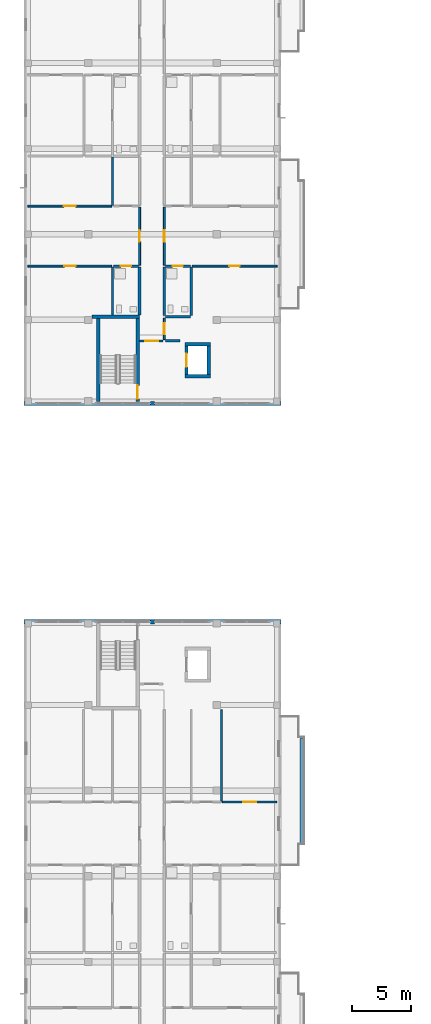
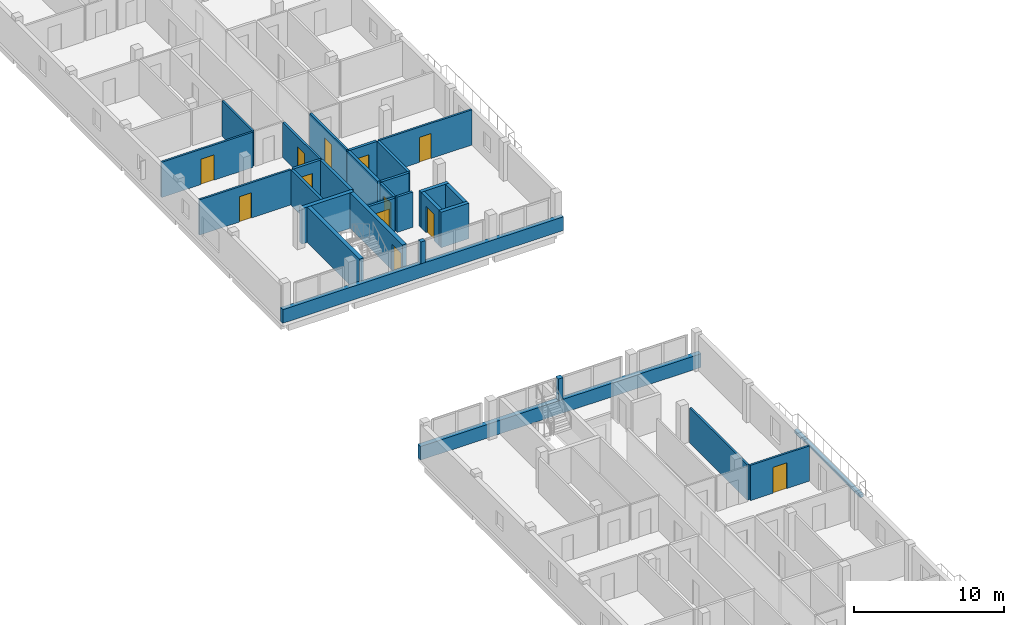
# One storey, part 16 of 41: 30 walls, 12 doors, 12 openings.
"""IFC4 building model written with IfcOpenShell, lengths in metres."""

from ifc_helpers import new_model, si_unit, derived_unit, direction, frame, frame_2d, origin, place, context, subcontext, project, spatial, rectangle, extrude, material, layer, layer_set, type_object, element, fill, save


model = new_model("IFC4")

# Units and contexts
model_context = context("Model", 3, precision=1e-05, world=origin(), true_north=direction((0.0, 1.0)))
body_context = subcontext(model_context, "Body", "Model", "MODEL_VIEW")
ifc_project = project(units=[si_unit("LENGTHUNIT", "METRE"), si_unit("AREAUNIT", "SQUARE_METRE"), si_unit("VOLUMEUNIT", "CUBIC_METRE"), si_unit("PLANEANGLEUNIT", "RADIAN"), si_unit("MASSUNIT", "GRAM", prefix="KILO"), derived_unit("THERMALTRANSMITTANCEUNIT", [(si_unit("MASSUNIT", "GRAM", prefix="KILO"), 1), (si_unit("TIMEUNIT", "SECOND"), -3), (si_unit("THERMODYNAMICTEMPERATUREUNIT", "KELVIN"), -1)])], contexts=[model_context])

# Site, building, storey
site_placement = place(None, origin())
site = spatial("IfcSite", under=ifc_project, at=site_placement, CompositionType="ELEMENT")
building_placement = place(site_placement, origin())
building = spatial("IfcBuilding", under=site, at=building_placement, Name="Ochrekiln Boulevard Commons", CompositionType="ELEMENT")
storey_placement = place(building_placement, frame((0.0, 0.0, 21.52490234375)))
storey = spatial("IfcBuildingStorey", under=building, at=storey_placement, Name="L06", CompositionType="ELEMENT", Elevation=21.52490234375)

# Walls
ifc_material_1 = material(Name="Iron-spot brown clinker brick masonry ASTM C216 Grade SW", Category="masonry")
ifc_layer_1 = layer(ifc_material_1, 0.364990234375)
ifc_layer_set_1 = layer_set([ifc_layer_1], Name="Iron-spot brown clinker brick masonry ASTM C216 Grade SW")
wall_type_1 = type_object("IfcWallType", Name="WL-EXT-IRON-365", PredefinedType="SOLIDWALL", material=ifc_layer_set_1)
wall_1_placement = place(storey_placement, frame((0.0, 50.217529296875, 0.0), z_axis=(0.0, 0.0, 1.0), x_axis=(1.0, 0.0, 0.0)))
element("IfcWall", 1, at=wall_1_placement, inside=storey, type_object=wall_type_1, Name="Block D L06 Courtyard Gable Sill Wall", PredefinedType="SOLIDWALL", context=body_context, shape_type="SweptSolid", body=[
    extrude(rectangle(XDim=21.60009765625, YDim=0.364990234375, at=frame_2d((10.800048828125, 0.0))), origin(), (0.0, 0.0, 1.0), 1.110107421875),
])
wall_2_placement = place(storey_placement, frame((10.6201171875, 50.217529296875, 1.110107421875), z_axis=(0.0, 0.0, 1.0), x_axis=(1.0, 0.0, 0.0)))
element("IfcWall", 2, at=wall_2_placement, inside=storey, type_object=wall_type_1, Name="Block D L06 Courtyard Gable Mullion Pier", PredefinedType="SOLIDWALL", context=body_context, shape_type="SweptSolid", body=[
    extrude(rectangle(XDim=0.35986328125, YDim=0.364990234375, at=frame_2d((0.179931640625, 0.0))), origin(), (0.0, 0.0, 1.0), 1.780029296875),
])
ifc_material_2 = material(Name="Desert ochre clinker brick masonry ASTM C216 Grade SW", Category="masonry")
ifc_layer_2 = layer(ifc_material_2, 0.320068359375)
ifc_layer_set_2 = layer_set([ifc_layer_2], Name="Desert ochre clinker brick masonry ASTM C216 Grade SW")
wall_type_2 = type_object("IfcWallType", Name="WL-EXT-OCHRE-320", PredefinedType="SOLIDWALL", material=ifc_layer_set_2)
wall_3_placement = place(storey_placement, frame((0.0, 68.56005859375, 0.0), z_axis=(0.0, 0.0, 1.0), x_axis=(1.0, 0.0, 0.0)))
element("IfcWall", 3, at=wall_3_placement, inside=storey, type_object=wall_type_2, Name="Block A L06 Courtyard Gable Sill Wall", PredefinedType="SOLIDWALL", context=body_context, shape_type="SweptSolid", body=[
    extrude(rectangle(XDim=21.60009765625, YDim=0.320068359375, at=frame_2d((10.800048828125, 0.0))), origin(), (0.0, 0.0, 1.0), 1.110107421875),
])
wall_4_placement = place(storey_placement, frame((10.6201171875, 68.56005859375, 1.110107421875), z_axis=(0.0, 0.0, 1.0), x_axis=(1.0, 0.0, 0.0)))
element("IfcWall", 4, at=wall_4_placement, inside=storey, type_object=wall_type_2, Name="Block A L06 Courtyard Gable Mullion Pier", PredefinedType="SOLIDWALL", context=body_context, shape_type="SweptSolid", body=[
    extrude(rectangle(XDim=0.35986328125, YDim=0.320068359375, at=frame_2d((0.179931640625, 0.0))), origin(), (0.0, 0.0, 1.0), 1.780029296875),
])
ifc_material_3 = material(Name="Moisture-resistant cementitious tile backer wall")
ifc_layer_3 = layer(ifc_material_3, 0.199951171875)
ifc_layer_set_3 = layer_set([ifc_layer_3], Name="Moisture-resistant cementitious tile backer wall")
wall_type_3 = type_object("IfcWallType", Name="WL-PLM-200", PredefinedType="PLUMBINGWALL", material=ifc_layer_set_3)
wall_5_placement = place(storey_placement, frame((11.8720703125, 75.875, 0.0), z_axis=(0.0, 0.0, 1.0), x_axis=(1.0, 0.0, 0.0)))
element("IfcWall", 5, at=wall_5_placement, inside=storey, type_object=wall_type_3, Name="L06 Interior Wall W-PW200", PredefinedType="PLUMBINGWALL", context=body_context, shape_type="SweptSolid", body=[
    extrude(rectangle(XDim=2.10791015625, YDim=0.199951171875, at=frame_2d((1.053955078125, 0.0))), origin(), (0.0, 0.0, 1.0), 2.8701171875),
])

# Wall, opening, door
wall_6_placement = place(storey_placement, frame((7.52001953125, 80.118896484375, 0.0), z_axis=(0.0, 0.0, 1.0), x_axis=(1.0, 0.0, 0.0)))
wall_6 = element("IfcWall", 6, at=wall_6_placement, inside=storey, type_object=wall_type_3, Name="L06 Interior Wall W-PW200", PredefinedType="PLUMBINGWALL", context=body_context, shape_type="SweptSolid", body=[
    extrude(rectangle(XDim=2.10791015625, YDim=0.199951171875, at=frame_2d((1.053955078125, 0.0))), origin(), (0.0, 0.0, 1.0), 2.8701171875),
])
opening_1_placement = place(wall_6_placement, frame((0.6201171875, 0.0, 0.0)))
opening_1 = element("IfcOpeningElement", 7, at=opening_1_placement, cuts=wall_6, Name="Opening D-L06-789", PredefinedType="OPENING", context=body_context, shape_type="SweptSolid", body=[
    extrude(rectangle(XDim=0.860107421875, YDim=2.0, at=frame_2d((0.43017578125, 1.0))), frame((0.0, 0.10986328125, 0.0), z_axis=(0.0, -1.0, 0.0), x_axis=(1.0, 0.0, 0.0)), (0.0, 0.0, 1.0), 0.219970703125),
])
ifc_material_4 = material(Name="Solid core architectural oak door leaf")
door_type_1 = type_object("IfcDoorType", Name="DR-INT-BTH-086", OperationType="NOTDEFINED", PredefinedType="DOOR", material=ifc_material_4)
door_1_placement = place(opening_1_placement, frame((0.860107421875, 0.0, 0.0), z_axis=(0.0, 0.0, 1.0), x_axis=(-1.0, 0.0, 0.0)))
door_1 = element("IfcDoor", 8, at=door_1_placement, inside=storey, type_object=door_type_1, Name="L06 Interior Door to Accessible Apartment Bathroom", OperationType="SINGLE_SWING_LEFT", OverallHeight=2.0, OverallWidth=0.860107421875, PredefinedType="DOOR", context=body_context, shape_type="SweptSolid", body=[
    extrude(rectangle(XDim=0.860107421875, YDim=2.0, at=frame_2d((0.43017578125, 1.0))), frame((0.0, 0.02490234375, 0.0), z_axis=(0.0, -1.0, 0.0), x_axis=(1.0, 0.0, 0.0)), (0.0, 0.0, 1.0), 0.050048828125),
])
fill(opening_1, door_1)

# Wall
wall_7_placement = place(storey_placement, frame((7.43994140625, 76.0, 0.0), z_axis=(0.0, 0.0, 1.0), x_axis=(0.0, 1.0, 0.0)))
element("IfcWall", 9, at=wall_7_placement, inside=storey, type_object=wall_type_3, Name="L06 Interior Wall W-PW200", PredefinedType="PLUMBINGWALL", context=body_context, shape_type="SweptSolid", body=[
    extrude(rectangle(XDim=4.0390625, YDim=0.199951171875, at=frame_2d((2.01953125, 0.0))), origin(), (0.0, 0.0, 1.0), 2.8701171875),
])

# Wall, opening, door
wall_8_placement = place(storey_placement, frame((11.8720703125, 80.118896484375, 0.0), z_axis=(0.0, 0.0, 1.0), x_axis=(1.0, 0.0, 0.0)))
wall_8 = element("IfcWall", 10, at=wall_8_placement, inside=storey, type_object=wall_type_3, Name="L06 Interior Wall W-PW200", PredefinedType="PLUMBINGWALL", context=body_context, shape_type="SweptSolid", body=[
    extrude(rectangle(XDim=2.10791015625, YDim=0.199951171875, at=frame_2d((1.053955078125, 0.0))), origin(), (0.0, 0.0, 1.0), 2.8701171875),
])
opening_2_placement = place(wall_8_placement, frame((0.6279296875, 0.0, 0.0)))
opening_2 = element("IfcOpeningElement", 11, at=opening_2_placement, cuts=wall_8, Name="Opening D-L06-800", PredefinedType="OPENING", context=body_context, shape_type="SweptSolid", body=[
    extrude(rectangle(XDim=0.860107421875, YDim=2.0, at=frame_2d((0.43017578125, 1.0))), frame((0.0, 0.10986328125, 0.0), z_axis=(0.0, -1.0, 0.0), x_axis=(1.0, 0.0, 0.0)), (0.0, 0.0, 1.0), 0.219970703125),
])
door_2_placement = place(opening_2_placement, frame((0.860107421875, 0.0, 0.0), z_axis=(0.0, 0.0, 1.0), x_axis=(-1.0, 0.0, 0.0)))
door_2 = element("IfcDoor", 12, at=door_2_placement, inside=storey, type_object=door_type_1, Name="L06 Interior Door to Apartment Bathroom", OperationType="SINGLE_SWING_RIGHT", OverallHeight=2.0, OverallWidth=0.860107421875, PredefinedType="DOOR", context=body_context, shape_type="SweptSolid", body=[
    extrude(rectangle(XDim=0.860107421875, YDim=2.0, at=frame_2d((0.43017578125, 1.0))), frame((0.0, 0.02490234375, 0.0), z_axis=(0.0, -1.0, 0.0), x_axis=(1.0, 0.0, 0.0)), (0.0, 0.0, 1.0), 0.050048828125),
])
fill(opening_2, door_2)

# Walls
wall_9_placement = place(storey_placement, frame((14.06005859375, 75.97509765625, 0.0), z_axis=(0.0, 0.0, 1.0), x_axis=(0.0, 1.0, 0.0)))
element("IfcWall", 13, at=wall_9_placement, inside=storey, type_object=wall_type_3, Name="L06 Interior Wall W-PW200", PredefinedType="PLUMBINGWALL", context=body_context, shape_type="SweptSolid", body=[
    extrude(rectangle(XDim=4.06396484375, YDim=0.199951171875, at=frame_2d((2.031982421875, 0.0))), origin(), (0.0, 0.0, 1.0), 2.8701171875),
])
ifc_layer_4 = layer(ifc_material_3, 0.219970703125)
ifc_layer_set_4 = layer_set([ifc_layer_4], Name="Moisture-resistant cementitious tile backer wall")
wall_type_4 = type_object("IfcWallType", Name="WL-PLM-220", PredefinedType="PLUMBINGWALL", material=ifc_layer_set_4)
wall_10_placement = place(storey_placement, frame((9.7099609375, 76.0, 0.0), z_axis=(0.0, 0.0, 1.0), x_axis=(0.0, 1.0, 0.0)))
element("IfcWall", 14, at=wall_10_placement, inside=storey, type_object=wall_type_4, Name="L06 Interior Wall W-PW220", PredefinedType="PLUMBINGWALL", context=body_context, shape_type="SweptSolid", body=[
    extrude(rectangle(XDim=4.0390625, YDim=0.219970703125, at=frame_2d((2.01953125, 0.0))), origin(), (0.0, 0.0, 1.0), 2.8701171875),
])
wall_11_placement = place(storey_placement, frame((11.7900390625, 75.97509765625, 0.0), z_axis=(0.0, 0.0, 1.0), x_axis=(0.0, 1.0, 0.0)))
element("IfcWall", 15, at=wall_11_placement, inside=storey, type_object=wall_type_4, Name="L06 Interior Wall W-PW220", PredefinedType="PLUMBINGWALL", context=body_context, shape_type="SweptSolid", body=[
    extrude(rectangle(XDim=4.06396484375, YDim=0.219970703125, at=frame_2d((2.031982421875, 0.0))), origin(), (0.0, 0.0, 1.0), 2.8701171875),
])
ifc_material_5 = material(Name="Glazed architectural terracotta ASTM C1405", Category="masonry")
ifc_layer_5 = layer(ifc_material_5, 0.25)
ifc_layer_set_5 = layer_set([ifc_layer_5], Name="Glazed architectural terracotta ASTM C1405")
wall_type_5 = type_object("IfcWallType", Name="WL-PLN-250", PredefinedType="PARAPET", material=ifc_layer_set_5)
wall_12_placement = place(storey_placement, frame((23.320068359375, 31.610107421875, 0.0), z_axis=(0.0, 0.0, 1.0), x_axis=(0.0, 1.0, 0.0)))
element("IfcWall", 16, at=wall_12_placement, inside=storey, type_object=wall_type_5, Name="Block D L06 Balcony Terracotta Planter Box 2", PredefinedType="PARAPET", context=body_context, shape_type="SweptSolid", body=[
    extrude(rectangle(XDim=8.77978515625, YDim=0.25, at=frame_2d((4.389892578125, 0.0))), origin(), (0.0, 0.0, 1.0), 0.22998046875),
])

# Wall, opening, door
ifc_material_6 = material(Name="Fire-rated Type X gypsum board on steel studs", Category="steel")
ifc_layer_6 = layer(ifc_material_6, 0.1650390625)
ifc_layer_set_6 = layer_set([ifc_layer_6], Name="Fire-rated Type X gypsum board on steel studs")
wall_type_6 = type_object("IfcWallType", Name="WL-PT-CORR-165", PredefinedType="PARTITIONING", material=ifc_layer_set_6)
wall_13_placement = place(storey_placement, frame((11.7900390625, 73.929931640625, 0.0), z_axis=(0.0, 0.0, 1.0), x_axis=(0.0, 1.0, 0.0)))
wall_13 = element("IfcWall", 17, at=wall_13_placement, inside=storey, type_object=wall_type_6, Name="L06 Interior Wall W-PC165", PredefinedType="PARTITIONING", context=body_context, shape_type="SweptSolid", body=[
    extrude(rectangle(XDim=1.820068359375, YDim=0.1650390625, at=frame_2d((0.91015625, 0.0))), origin(), (0.0, 0.0, 1.0), 2.8701171875),
])
opening_3_placement = place(wall_13_placement, frame((0.4599609375, 0.0, 0.0)))
opening_3 = element("IfcOpeningElement", 18, at=opening_3_placement, cuts=wall_13, Name="Opening D-L06-784", PredefinedType="OPENING", context=body_context, shape_type="SweptSolid", body=[
    extrude(rectangle(XDim=0.919921875, YDim=2.0400390625, at=frame_2d((0.4599609375, 1.02001953125))), frame((0.0, 0.092529296875, 0.0), z_axis=(0.0, -1.0, 0.0), x_axis=(1.0, 0.0, 0.0)), (0.0, 0.0, 1.0), 0.18505859375),
])
ifc_material_7 = material(Name="Hollow metal fire-rated steel door assembly", Category="steel")
door_type_2 = type_object("IfcDoorType", Name="DR-SRV-90", OperationType="NOTDEFINED", PredefinedType="DOOR", material=ifc_material_7)
door_3_placement = place(opening_3_placement, frame((0.919921875, 0.0, 0.0), z_axis=(0.0, 0.0, 1.0), x_axis=(-1.0, 0.0, 0.0)))
door_3 = element("IfcDoor", 19, at=door_3_placement, inside=storey, type_object=door_type_2, Name="L06 Interior Door to Hydronic and Electrical Riser Room", OperationType="SINGLE_SWING_RIGHT", OverallHeight=2.0400390625, OverallWidth=0.919921875, PredefinedType="DOOR", context=body_context, shape_type="SweptSolid", body=[
    extrude(rectangle(XDim=0.919921875, YDim=2.0400390625, at=frame_2d((0.4599609375, 1.02001953125))), frame((0.0, 0.02490234375, 0.0), z_axis=(0.0, -1.0, 0.0), x_axis=(1.0, 0.0, 0.0)), (0.0, 0.0, 1.0), 0.050048828125),
])
fill(opening_3, door_3)

wall_14_placement = place(storey_placement, frame((9.7099609375, 80.198974609375, 0.0), z_axis=(0.0, 0.0, 1.0), x_axis=(0.0, 1.0, 0.0)))
wall_14 = element("IfcWall", 20, at=wall_14_placement, inside=storey, type_object=wall_type_6, Name="L06 Interior Wall W-PC165", PredefinedType="PARTITIONING", context=body_context, shape_type="SweptSolid", body=[
    extrude(rectangle(XDim=4.887939453125, YDim=0.1650390625, at=frame_2d((2.44384765625, 0.0))), origin(), (0.0, 0.0, 1.0), 2.8701171875),
])
opening_4_placement = place(wall_14_placement, frame((1.9541015625, 0.0, 0.0)))
opening_4 = element("IfcOpeningElement", 21, at=opening_4_placement, cuts=wall_14, Name="Opening D-L06-785", PredefinedType="OPENING", context=body_context, shape_type="SweptSolid", body=[
    extrude(rectangle(XDim=0.97998046875, YDim=2.080078125, at=frame_2d((0.489990234375, 1.0400390625))), frame((0.0, 0.092529296875, 0.0), z_axis=(0.0, -1.0, 0.0), x_axis=(1.0, 0.0, 0.0)), (0.0, 0.0, 1.0), 0.18505859375),
])
door_type_3 = type_object("IfcDoorType", Name="DR-APT-60", OperationType="NOTDEFINED", PredefinedType="DOOR", material=ifc_material_4)
door_4_placement = place(opening_4_placement, origin())
door_4 = element("IfcDoor", 22, at=door_4_placement, inside=storey, type_object=door_type_3, Name="L06 Interior Door to Two-Bedroom Apartment Living Room", OperationType="SINGLE_SWING_LEFT", OverallHeight=2.080078125, OverallWidth=0.97998046875, PredefinedType="DOOR", context=body_context, shape_type="SweptSolid", body=[
    extrude(rectangle(XDim=0.97998046875, YDim=2.080078125, at=frame_2d((0.489990234375, 1.0400390625))), frame((0.0, 0.02490234375, 0.0), z_axis=(0.0, -1.0, 0.0), x_axis=(1.0, 0.0, 0.0)), (0.0, 0.0, 1.0), 0.050048828125),
])
fill(opening_4, door_4)

wall_15_placement = place(storey_placement, frame((11.7900390625, 80.198974609375, 0.0), z_axis=(0.0, 0.0, 1.0), x_axis=(0.0, 1.0, 0.0)))
wall_15 = element("IfcWall", 23, at=wall_15_placement, inside=storey, type_object=wall_type_6, Name="L06 Interior Wall W-PC165", PredefinedType="PARTITIONING", context=body_context, shape_type="SweptSolid", body=[
    extrude(rectangle(XDim=4.887939453125, YDim=0.1650390625, at=frame_2d((2.44384765625, 0.0))), origin(), (0.0, 0.0, 1.0), 2.8701171875),
])
opening_5_placement = place(wall_15_placement, frame((1.9541015625, 0.0, 0.0)))
opening_5 = element("IfcOpeningElement", 24, at=opening_5_placement, cuts=wall_15, Name="Opening D-L06-787", PredefinedType="OPENING", context=body_context, shape_type="SweptSolid", body=[
    extrude(rectangle(XDim=0.97998046875, YDim=2.080078125, at=frame_2d((0.489990234375, 1.0400390625))), frame((0.0, 0.092529296875, 0.0), z_axis=(0.0, -1.0, 0.0), x_axis=(1.0, 0.0, 0.0)), (0.0, 0.0, 1.0), 0.18505859375),
])
door_5_placement = place(opening_5_placement, frame((0.97998046875, 0.0, 0.0), z_axis=(0.0, 0.0, 1.0), x_axis=(-1.0, 0.0, 0.0)))
door_5 = element("IfcDoor", 25, at=door_5_placement, inside=storey, type_object=door_type_3, Name="L06 Interior Door to Two-Bedroom Apartment Living Room", OperationType="SINGLE_SWING_LEFT", OverallHeight=2.080078125, OverallWidth=0.97998046875, PredefinedType="DOOR", context=body_context, shape_type="SweptSolid", body=[
    extrude(rectangle(XDim=0.97998046875, YDim=2.080078125, at=frame_2d((0.489990234375, 1.0400390625))), frame((0.0, 0.02490234375, 0.0), z_axis=(0.0, -1.0, 0.0), x_axis=(1.0, 0.0, 0.0)), (0.0, 0.0, 1.0), 0.050048828125),
])
fill(opening_5, door_5)

# Wall
ifc_layer_7 = layer(ifc_material_6, 0.18994140625)
ifc_layer_set_7 = layer_set([ifc_layer_7], Name="Fire-rated Type X gypsum board on steel studs")
wall_type_7 = type_object("IfcWallType", Name="WL-PT-LBY-190", PredefinedType="PARTITIONING", material=ifc_layer_set_7)
wall_16_placement = place(storey_placement, frame((11.8798828125, 73.8349609375, 0.0), z_axis=(0.0, 0.0, 1.0), x_axis=(1.0, 0.0, 0.0)))
element("IfcWall", 26, at=wall_16_placement, inside=storey, type_object=wall_type_7, Name="L06 Interior Wall W-PL190", PredefinedType="PARTITIONING", context=body_context, shape_type="SweptSolid", body=[
    extrude(rectangle(XDim=1.22021484375, YDim=0.18994140625, at=frame_2d((0.610107421875, 0.0))), origin(), (0.0, 0.0, 1.0), 2.8701171875),
])

# Wall, opening, door
wall_17_placement = place(storey_placement, frame((9.699951171875, 73.820068359375, 0.0), z_axis=(0.0, 0.0, 1.0), x_axis=(1.0, 0.0, 0.0)))
wall_17 = element("IfcWall", 27, at=wall_17_placement, inside=storey, type_object=wall_type_7, Name="L06 Interior Wall W-PL190", PredefinedType="PARTITIONING", context=body_context, shape_type="SweptSolid", body=[
    extrude(rectangle(XDim=2.0, YDim=0.18994140625, at=frame_2d((1.0, 0.0))), origin(), (0.0, 0.0, 1.0), 2.8701171875),
])
opening_6_placement = place(wall_17_placement, frame((0.5, 0.0, 0.0)))
opening_6 = element("IfcOpeningElement", 28, at=opening_6_placement, cuts=wall_17, Name="Opening D-L06-782", PredefinedType="OPENING", context=body_context, shape_type="SweptSolid", body=[
    extrude(rectangle(XDim=1.10009765625, YDim=2.1201171875, at=frame_2d((0.550048828125, 1.06005859375))), frame((0.0, 0.10498046875, 0.0), z_axis=(0.0, -1.0, 0.0), x_axis=(1.0, 0.0, 0.0)), (0.0, 0.0, 1.0), 0.2099609375),
])
door_type_4 = type_object("IfcDoorType", Name="DR-LOBBY-60", OperationType="NOTDEFINED", PredefinedType="DOOR", material=ifc_material_7)
door_6_placement = place(opening_6_placement, frame((1.10009765625, 0.0, 0.0), z_axis=(0.0, 0.0, 1.0), x_axis=(-1.0, 0.0, 0.0)))
door_6 = element("IfcDoor", 29, at=door_6_placement, inside=storey, type_object=door_type_4, Name="L06 Interior Door to Fire Service Access Elevator Lobby", OperationType="SINGLE_SWING_RIGHT", OverallHeight=2.1201171875, OverallWidth=1.10009765625, PredefinedType="DOOR", context=body_context, shape_type="SweptSolid", body=[
    extrude(rectangle(XDim=1.10009765625, YDim=2.1201171875, at=frame_2d((0.550048828125, 1.06005859375))), frame((0.0, 0.02490234375, 0.0), z_axis=(0.0, -1.0, 0.0), x_axis=(1.0, 0.0, 0.0)), (0.0, 0.0, 1.0), 0.050048828125),
])
fill(opening_6, door_6)

ifc_layer_8 = layer(ifc_material_6, 0.14990234375)
ifc_layer_set_8 = layer_set([ifc_layer_8], Name="Fire-rated Type X gypsum board on steel studs")
wall_type_8 = type_object("IfcWallType", Name="WL-PT-STD-150", PredefinedType="PARTITIONING", material=ifc_layer_set_8)
wall_18_placement = place(storey_placement, frame((0.320068359375, 80.118896484375, 0.0), z_axis=(0.0, 0.0, 1.0), x_axis=(1.0, 0.0, 0.0)))
wall_18 = element("IfcWall", 30, at=wall_18_placement, inside=storey, type_object=wall_type_8, Name="L06 Interior Wall W-PS150", PredefinedType="PARTITIONING", context=body_context, shape_type="SweptSolid", body=[
    extrude(rectangle(XDim=7.0400390625, YDim=0.14990234375, at=frame_2d((3.52001953125, 0.0))), origin(), (0.0, 0.0, 1.0), 2.8701171875),
])
opening_7_placement = place(wall_18_placement, frame((3.06494140625, 0.0, 0.0)))
opening_7 = element("IfcOpeningElement", 31, at=opening_7_placement, cuts=wall_18, Name="Opening D-L06-791", PredefinedType="OPENING", context=body_context, shape_type="SweptSolid", body=[
    extrude(rectangle(XDim=0.93994140625, YDim=2.06005859375, at=frame_2d((0.469970703125, 1.030029296875))), frame((0.0, 0.0849609375, 0.0), z_axis=(0.0, -1.0, 0.0), x_axis=(1.0, 0.0, 0.0)), (0.0, 0.0, 1.0), 0.169921875),
])
door_type_5 = type_object("IfcDoorType", Name="DR-INT-BED-094", OperationType="NOTDEFINED", PredefinedType="DOOR", material=ifc_material_4)
door_7_placement = place(opening_7_placement, frame((0.93994140625, 0.0, 0.0), z_axis=(0.0, 0.0, 1.0), x_axis=(-1.0, 0.0, 0.0)))
door_7 = element("IfcDoor", 32, at=door_7_placement, inside=storey, type_object=door_type_5, Name="L06 Interior Door to Primary Apartment Bedroom", OperationType="SINGLE_SWING_LEFT", OverallHeight=2.06005859375, OverallWidth=0.93994140625, PredefinedType="DOOR", context=body_context, shape_type="SweptSolid", body=[
    extrude(rectangle(XDim=0.93994140625, YDim=2.06005859375, at=frame_2d((0.469970703125, 1.030029296875))), frame((0.0, 0.02490234375, 0.0), z_axis=(0.0, -1.0, 0.0), x_axis=(1.0, 0.0, 0.0)), (0.0, 0.0, 1.0), 0.050048828125),
])
fill(opening_7, door_7)

wall_19_placement = place(storey_placement, frame((0.320068359375, 85.1669921875, 0.0), z_axis=(0.0, 0.0, 1.0), x_axis=(1.0, 0.0, 0.0)))
wall_19 = element("IfcWall", 33, at=wall_19_placement, inside=storey, type_object=wall_type_8, Name="L06 Interior Wall W-PS150", PredefinedType="PARTITIONING", context=body_context, shape_type="SweptSolid", body=[
    extrude(rectangle(XDim=7.0400390625, YDim=0.14990234375, at=frame_2d((3.52001953125, 0.0))), origin(), (0.0, 0.0, 1.0), 2.8701171875),
])
opening_8_placement = place(wall_19_placement, frame((3.034912109375, 0.0, 0.0)))
opening_8 = element("IfcOpeningElement", 34, at=opening_8_placement, cuts=wall_19, Name="Opening D-L06-792", PredefinedType="OPENING", context=body_context, shape_type="SweptSolid", body=[
    extrude(rectangle(XDim=1.0, YDim=2.06005859375, at=frame_2d((0.5, 1.030029296875))), frame((0.0, 0.0849609375, 0.0), z_axis=(0.0, -1.0, 0.0), x_axis=(1.0, 0.0, 0.0)), (0.0, 0.0, 1.0), 0.169921875),
])
door_type_6 = type_object("IfcDoorType", Name="DR-INT-BED-100", OperationType="NOTDEFINED", PredefinedType="DOOR", material=ifc_material_4)
door_8_placement = place(opening_8_placement, origin())
door_8 = element("IfcDoor", 35, at=door_8_placement, inside=storey, type_object=door_type_6, Name="L06 Interior Door to Secondary Apartment Bedroom", OperationType="SINGLE_SWING_RIGHT", OverallHeight=2.06005859375, OverallWidth=1.0, PredefinedType="DOOR", context=body_context, shape_type="SweptSolid", body=[
    extrude(rectangle(XDim=1.0, YDim=2.06005859375, at=frame_2d((0.5, 1.030029296875))), frame((0.0, 0.02490234375, 0.0), z_axis=(0.0, -1.0, 0.0), x_axis=(1.0, 0.0, 0.0)), (0.0, 0.0, 1.0), 0.050048828125),
])
fill(opening_8, door_8)

# Wall
wall_20_placement = place(storey_placement, frame((7.43994140625, 85.22705078125, 0.0), z_axis=(0.0, 0.0, 1.0), x_axis=(0.0, 1.0, 0.0)))
element("IfcWall", 36, at=wall_20_placement, inside=storey, type_object=wall_type_8, Name="L06 Interior Wall W-PS150", PredefinedType="PARTITIONING", context=body_context, shape_type="SweptSolid", body=[
    extrude(rectangle(XDim=4.058837890625, YDim=0.14990234375, at=frame_2d((2.029296875, 0.0))), origin(), (0.0, 0.0, 1.0), 2.8701171875),
])

# Wall, opening, door
wall_21_placement = place(storey_placement, frame((14.139892578125, 80.118896484375, 0.0), z_axis=(0.0, 0.0, 1.0), x_axis=(1.0, 0.0, 0.0)))
wall_21 = element("IfcWall", 37, at=wall_21_placement, inside=storey, type_object=wall_type_8, Name="L06 Interior Wall W-PS150", PredefinedType="PARTITIONING", context=body_context, shape_type="SweptSolid", body=[
    extrude(rectangle(XDim=7.14013671875, YDim=0.14990234375, at=frame_2d((3.570068359375, 0.0))), origin(), (0.0, 0.0, 1.0), 2.8701171875),
])
opening_9_placement = place(wall_21_placement, frame((3.10498046875, 0.0, 0.0)))
opening_9 = element("IfcOpeningElement", 38, at=opening_9_placement, cuts=wall_21, Name="Opening D-L06-802", PredefinedType="OPENING", context=body_context, shape_type="SweptSolid", body=[
    extrude(rectangle(XDim=0.89990234375, YDim=2.0400390625, at=frame_2d((0.449951171875, 1.02001953125))), frame((0.0, 0.0849609375, 0.0), z_axis=(0.0, -1.0, 0.0), x_axis=(1.0, 0.0, 0.0)), (0.0, 0.0, 1.0), 0.169921875),
])
door_type_7 = type_object("IfcDoorType", Name="DR-INT-BED-090", OperationType="NOTDEFINED", PredefinedType="DOOR", material=ifc_material_4)
door_9_placement = place(opening_9_placement, frame((0.89990234375, 0.0, 0.0), z_axis=(0.0, 0.0, 1.0), x_axis=(-1.0, 0.0, 0.0)))
door_9 = element("IfcDoor", 39, at=door_9_placement, inside=storey, type_object=door_type_7, Name="L06 Interior Door to Primary Apartment Bedroom", OperationType="SINGLE_SWING_RIGHT", OverallHeight=2.0400390625, OverallWidth=0.89990234375, PredefinedType="DOOR", context=body_context, shape_type="SweptSolid", body=[
    extrude(rectangle(XDim=0.89990234375, YDim=2.0400390625, at=frame_2d((0.449951171875, 1.02001953125))), frame((0.0, 0.02490234375, 0.0), z_axis=(0.0, -1.0, 0.0), x_axis=(1.0, 0.0, 0.0)), (0.0, 0.0, 1.0), 0.050048828125),
])
fill(opening_9, door_9)

wall_22_placement = place(storey_placement, frame((16.68701171875, 35.050048828125, 0.0), z_axis=(0.0, 0.0, 1.0), x_axis=(1.0, 0.0, 0.0)))
wall_22 = element("IfcWall", 40, at=wall_22_placement, inside=storey, type_object=wall_type_8, Name="L06 Interior Wall W-PS150", PredefinedType="PARTITIONING", context=body_context, shape_type="SweptSolid", body=[
    extrude(rectangle(XDim=4.56298828125, YDim=0.14990234375, at=frame_2d((2.281494140625, 0.0))), origin(), (0.0, 0.0, 1.0), 2.8701171875),
])
opening_10_placement = place(wall_22_placement, frame((1.740966796875, 0.0, 0.0)))
opening_10 = element("IfcOpeningElement", 41, at=opening_10_placement, cuts=wall_22, Name="Opening D-L06-893", PredefinedType="OPENING", context=body_context, shape_type="SweptSolid", body=[
    extrude(rectangle(XDim=1.080078125, YDim=2.10009765625, at=frame_2d((0.5400390625, 1.050048828125))), frame((0.0, 0.0849609375, 0.0), z_axis=(0.0, -1.0, 0.0), x_axis=(1.0, 0.0, 0.0)), (0.0, 0.0, 1.0), 0.169921875),
])
door_type_8 = type_object("IfcDoorType", Name="DR-INT-BED-108", OperationType="NOTDEFINED", PredefinedType="DOOR", material=ifc_material_4)
door_10_placement = place(opening_10_placement, origin())
door_10 = element("IfcDoor", 42, at=door_10_placement, inside=storey, type_object=door_type_8, Name="L06 Interior Door to Secondary Apartment Bedroom", OperationType="SINGLE_SWING_LEFT", OverallHeight=2.10009765625, OverallWidth=1.080078125, PredefinedType="DOOR", context=body_context, shape_type="SweptSolid", body=[
    extrude(rectangle(XDim=1.080078125, YDim=2.10009765625, at=frame_2d((0.5400390625, 1.050048828125))), frame((0.0, 0.02490234375, 0.0), z_axis=(0.0, -1.0, 0.0), x_axis=(1.0, 0.0, 0.0)), (0.0, 0.0, 1.0), 0.050048828125),
])
fill(opening_10, door_10)

# Walls
wall_23_placement = place(storey_placement, frame((16.60693359375, 35.125, 0.0), z_axis=(0.0, 0.0, 1.0), x_axis=(0.0, 1.0, 0.0)))
element("IfcWall", 43, at=wall_23_placement, inside=storey, type_object=wall_type_8, Name="L06 Interior Wall W-PS150", PredefinedType="PARTITIONING", context=body_context, shape_type="SweptSolid", body=[
    extrude(rectangle(XDim=7.675048828125, YDim=0.14990234375, at=frame_2d((3.83740234375, 0.0))), origin(), (0.0, 0.0, 1.0), 2.8701171875),
])
ifc_material_8 = material(Name="Concrete C40/50", Category="concrete")
ifc_layer_9 = layer(ifc_material_8, 0.27490234375)
ifc_layer_set_9 = layer_set([ifc_layer_9], Name="Concrete C40/50")
wall_type_9 = type_object("IfcWallType", Name="WL-SH-275", PredefinedType="SHEAR", material=ifc_layer_set_9)
for number, where, z_axis, x_axis, name in (
    (44, (13.52490234375, 70.862548828125, 0.0), (0.0, 0.0, 1.0), (1.0, 0.0, 0.0), "Elevator FF-A1 L06 Hoistway Shear Wall"),
    (45, (13.52490234375, 73.53759765625, 0.0), (0.0, 0.0, 1.0), (1.0, 0.0, 0.0), "Elevator FF-A1 L06 Hoistway Shear Wall"),
):
    element("IfcWall", number, at=place(storey_placement, frame(where, z_axis=z_axis, x_axis=x_axis)), inside=storey, type_object=wall_type_9, Name=name, PredefinedType="SHEAR", context=body_context, shape_type="SweptSolid", body=[
        extrude(rectangle(XDim=2.150146484375, YDim=0.27490234375, at=frame_2d((1.0751953125, 0.0))), origin(), (0.0, 0.0, 1.0), 2.89013671875),
    ])

# Wall, opening, door
wall_24_placement = place(storey_placement, frame((13.66259765625, 71.0, 0.0), z_axis=(0.0, 0.0, 1.0), x_axis=(0.0, 1.0, 0.0)))
wall_24 = element("IfcWall", 46, at=wall_24_placement, inside=storey, type_object=wall_type_9, Name="Elevator FF-A1 L06 Hoistway Shear Wall", PredefinedType="SHEAR", context=body_context, shape_type="SweptSolid", body=[
    extrude(rectangle(XDim=2.39990234375, YDim=0.27490234375, at=frame_2d((1.199951171875, 0.0))), origin(), (0.0, 0.0, 1.0), 2.89013671875),
])
opening_11_placement = place(wall_24_placement, frame((0.64990234375, 0.0, 0.0)))
opening_11 = element("IfcOpeningElement", 47, at=opening_11_placement, cuts=wall_24, Name="Opening LD-FF-A1-L06", PredefinedType="OPENING", context=body_context, shape_type="SweptSolid", body=[
    extrude(rectangle(XDim=1.10009765625, YDim=2.14990234375, at=frame_2d((0.550048828125, 1.074951171875))), frame((0.0, 0.1474609375, 0.0), z_axis=(0.0, -1.0, 0.0), x_axis=(1.0, 0.0, 0.0)), (0.0, 0.0, 1.0), 0.294921875),
])
ifc_material_9 = material(Name="Brushed stainless steel 316 elevator cab and doors", Category="steel")
door_type_9 = type_object("IfcDoorType", Name="DR-LIFT-LD90", OperationType="SLIDING_TO_LEFT", PredefinedType="DOOR", material=ifc_material_9)
door_11_placement = place(opening_11_placement, origin())
door_11 = element("IfcDoor", 48, at=door_11_placement, inside=storey, type_object=door_type_9, Name="Elevator FF-A1 L06 Sliding Landing Door LD-FF-A1-L06", OperationType="SLIDING_TO_LEFT", OverallHeight=2.14990234375, OverallWidth=1.10009765625, PredefinedType="DOOR", context=body_context, shape_type="SweptSolid", body=[
    extrude(rectangle(XDim=1.10009765625, YDim=2.14990234375, at=frame_2d((0.550048828125, 1.074951171875))), frame((0.0, 0.02490234375, 0.0), z_axis=(0.0, -1.0, 0.0), x_axis=(1.0, 0.0, 0.0)), (0.0, 0.0, 1.0), 0.050048828125),
])
fill(opening_11, door_11)

# Walls
wall_25_placement = place(storey_placement, frame((15.53759765625, 71.0, 0.0), z_axis=(0.0, 0.0, 1.0), x_axis=(0.0, 1.0, 0.0)))
element("IfcWall", 49, at=wall_25_placement, inside=storey, type_object=wall_type_9, Name="Elevator FF-A1 L06 Hoistway Shear Wall", PredefinedType="SHEAR", context=body_context, shape_type="SweptSolid", body=[
    extrude(rectangle(XDim=2.39990234375, YDim=0.27490234375, at=frame_2d((1.199951171875, 0.0))), origin(), (0.0, 0.0, 1.0), 2.89013671875),
])
ifc_layer_10 = layer(ifc_material_8, 0.300048828125)
ifc_layer_set_10 = layer_set([ifc_layer_10], Name="Concrete C40/50")
wall_type_10 = type_object("IfcWallType", Name="WL-SH-300", PredefinedType="SHEAR", material=ifc_layer_set_10)
wall_26_placement = place(storey_placement, frame((5.699951171875, 75.8701171875, 0.0), z_axis=(0.0, 0.0, 1.0), x_axis=(1.0, 0.0, 0.0)))
element("IfcWall", 50, at=wall_26_placement, inside=storey, type_object=wall_type_10, Name="Stair ST-A1 L06 Core Shear Wall N", PredefinedType="SHEAR", context=body_context, shape_type="SweptSolid", body=[
    extrude(rectangle(XDim=4.0, YDim=0.300048828125, at=frame_2d((2.0, 0.0))), origin(), (0.0, 0.0, 1.0), 2.89013671875),
])
wall_27_placement = place(storey_placement, frame((6.25, 68.719970703125, 0.0), z_axis=(0.0, 0.0, 1.0), x_axis=(0.0, 1.0, 0.0)))
element("IfcWall", 51, at=wall_27_placement, inside=storey, type_object=wall_type_10, Name="Stair ST-A1 L06 Core Shear Wall W", PredefinedType="SHEAR", context=body_context, shape_type="SweptSolid", body=[
    extrude(rectangle(XDim=7.0, YDim=0.300048828125, at=frame_2d((3.5, 0.0))), origin(), (0.0, 0.0, 1.0), 2.89013671875),
])

# Wall, opening, door
wall_28_placement = place(storey_placement, frame((9.550048828125, 68.719970703125, 0.0), z_axis=(0.0, 0.0, 1.0), x_axis=(0.0, 1.0, 0.0)))
wall_28 = element("IfcWall", 52, at=wall_28_placement, inside=storey, type_object=wall_type_10, Name="Stair ST-A1 L06 Core Shear Wall E", PredefinedType="SHEAR", context=body_context, shape_type="SweptSolid", body=[
    extrude(rectangle(XDim=7.0, YDim=0.300048828125, at=frame_2d((3.5, 0.0))), origin(), (0.0, 0.0, 1.0), 2.89013671875),
])
opening_12_placement = place(wall_28_placement, frame((0.22509765625, 0.0, 0.0)))
opening_12 = element("IfcOpeningElement", 53, at=opening_12_placement, cuts=wall_28, Name="Opening D-L06-ST-A1", PredefinedType="OPENING", context=body_context, shape_type="SweptSolid", body=[
    extrude(rectangle(XDim=1.14990234375, YDim=2.1201171875, at=frame_2d((0.574951171875, 1.06005859375))), frame((0.0, 0.159912109375, 0.0), z_axis=(0.0, -1.0, 0.0), x_axis=(1.0, 0.0, 0.0)), (0.0, 0.0, 1.0), 0.320068359375),
])
door_type_10 = type_object("IfcDoorType", Name="DR-STAIR-90", OperationType="NOTDEFINED", PredefinedType="DOOR", material=ifc_material_7)
door_12_placement = place(opening_12_placement, origin())
door_12 = element("IfcDoor", 54, at=door_12_placement, inside=storey, type_object=door_type_10, Name="Enclosed Exit Stair ST-A1 L06 Rated Door", OperationType="SINGLE_SWING_RIGHT", OverallHeight=2.1201171875, OverallWidth=1.14990234375, PredefinedType="DOOR", context=body_context, shape_type="SweptSolid", body=[
    extrude(rectangle(XDim=1.14990234375, YDim=2.1201171875, at=frame_2d((0.574951171875, 1.06005859375))), frame((0.0, 0.02490234375, 0.0), z_axis=(0.0, -1.0, 0.0), x_axis=(1.0, 0.0, 0.0)), (0.0, 0.0, 1.0), 0.050048828125),
])
fill(opening_12, door_12)

save(model, "model.ifc")
